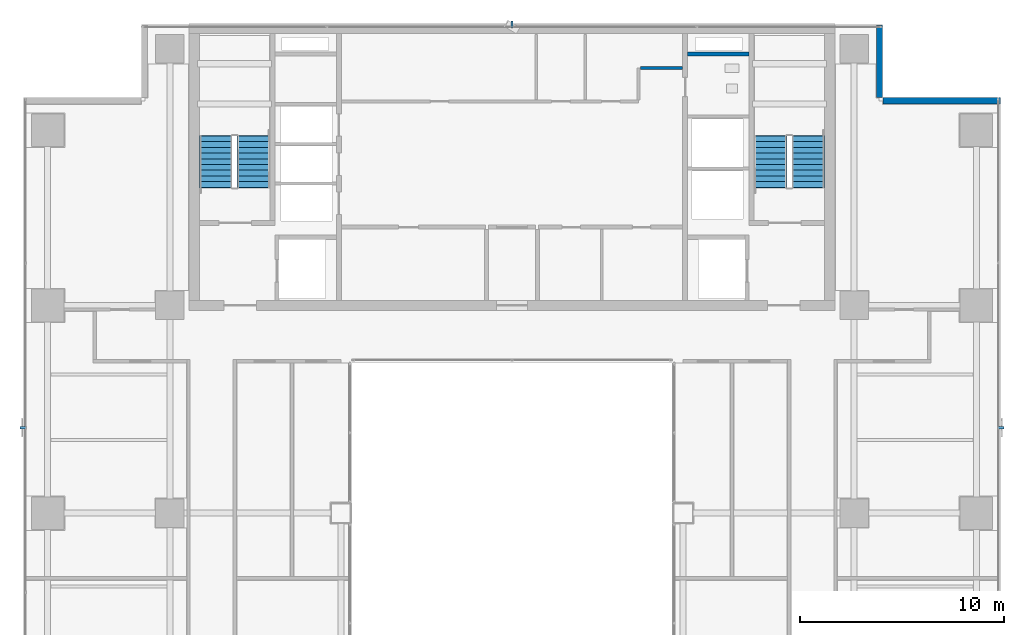
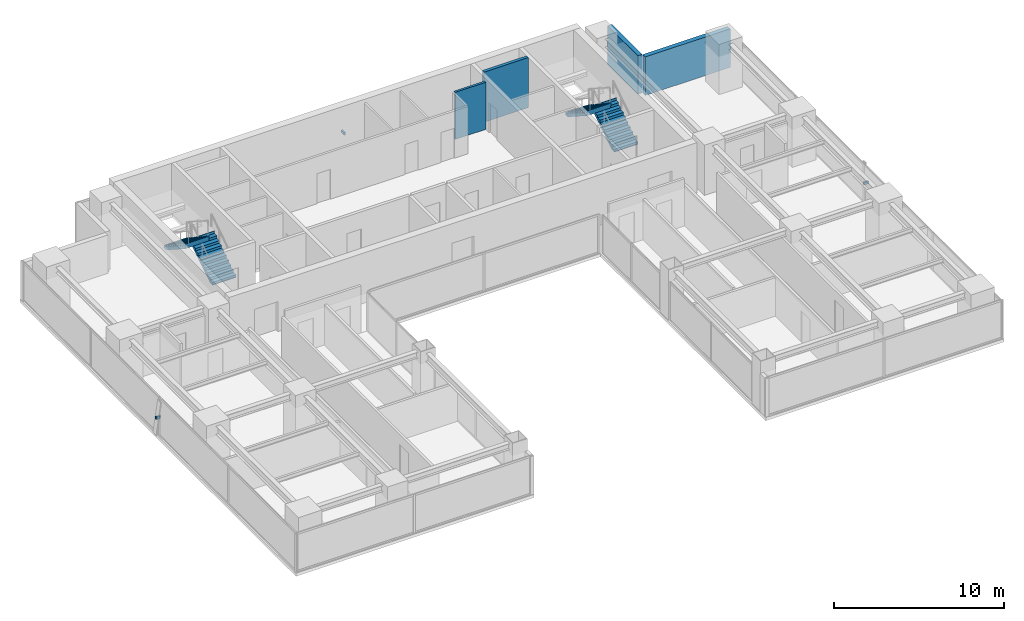
# One storey, part 26 of 29: 4 stair flights, 4 walls, 3 discrete accessories, 2 elements without a shape of their own.
"""IFC4 building model written with IfcOpenShell, lengths in metres."""

from ifc_helpers import new_model, si_unit, direction, frame, frame_2d, origin, origin_2d, place, context, subcontext, project, spatial, polyline, rectangle, outline, extrude, source, transform, mapped, material, layer, layer_set, material_profile, profile_set, type_object, element, aggregate, save


model = new_model("IFC4")

# Units and contexts
model_context = context("Model", 3, precision=1e-05, world=origin(), true_north=direction((0.0, 1.0)))
body_context = subcontext(model_context, "Body", "Model", "MODEL_VIEW")
ifc_project = project(units=[si_unit("LENGTHUNIT", "METRE"), si_unit("AREAUNIT", "SQUARE_METRE"), si_unit("VOLUMEUNIT", "CUBIC_METRE"), si_unit("PLANEANGLEUNIT", "RADIAN"), si_unit("MASSUNIT", "GRAM", prefix="KILO")], contexts=[model_context])

# Site, building, storey
site_placement = place(None, origin())
site = spatial("IfcSite", under=ifc_project, at=site_placement, CompositionType="ELEMENT")
building_placement = place(site_placement, origin())
building = spatial("IfcBuilding", under=site, at=building_placement, Name="Sumidabori Civic Tower", CompositionType="ELEMENT")
storey_placement = place(building_placement, frame((0.0, 0.0, 218.0)))
storey = spatial("IfcBuildingStorey", under=building, at=storey_placement, Name="L56", CompositionType="ELEMENT", Elevation=218.0)

# Walls
ifc_material_1 = material(Name="Concrete C50/60", Category="concrete")
ifc_layer_1 = layer(ifc_material_1, 0.199951171875, Name="Concrete C50/60")
ifc_layer_set_1 = layer_set([ifc_layer_1], Name="Concrete C50/60")
wall_type_1 = type_object("IfcWallType", Name="WL-SHAFT-200", PredefinedType="SHEAR", material=ifc_layer_set_1)
shared_shape_1 = source(origin(), body_context, "Body", "SweptSolid", [
    extrude(rectangle(XDim=3.02001953125, YDim=0.199951171875, at=frame_2d((1.510009765625, 0.0))), origin(), (0.0, 0.0, 1.0), 3.60009765625),
])
wall_1_placement = place(storey_placement, frame((8.625, 22.550048828125, 0.0), z_axis=(0.0, 0.0, 1.0), x_axis=(1.0, 0.0, 0.0)))
element("IfcWall", 1, at=wall_1_placement, inside=storey, type_object=wall_type_1, Name="Core Shear Wall L56 RIS2-S", PredefinedType="SHEAR", context=body_context, shape_type="MappedRepresentation", body=[
    mapped(shared_shape_1, transform((0.0, 0.0, 0.0), x_axis=(1.0, 0.0, 0.0), y_axis=(0.0, 1.0, 0.0), z_axis=(0.0, 0.0, 1.0), scale=1.0)),
])
ifc_material_2 = material(Name="Precast concrete C40/50", Category="concrete")
ifc_layer_2 = layer(ifc_material_2, 0.300048828125, Name="Precast concrete C40/50")
ifc_layer_set_2 = layer_set([ifc_layer_2], Name="Precast concrete C40/50")
wall_type_2 = type_object("IfcWallType", Name="WL-EXT-POD300", PredefinedType="STANDARD", material=ifc_layer_set_2)
shared_shape_2 = source(origin(), body_context, "Body", "SweptSolid", [
    extrude(rectangle(XDim=5.760009765625, YDim=0.300048828125, at=frame_2d((2.8798828125, 0.0))), origin(), (0.0, 0.0, 1.0), 2.760009765625),
])
wall_2_placement = place(storey_placement, frame((23.97998046875, 20.25, 0.0), z_axis=(0.0, 0.0, 1.0), x_axis=(-1.0, 0.0, 0.0)))
element("IfcWall", 2, at=wall_2_placement, inside=storey, type_object=wall_type_2, Name="Notched Corner Spandrel Band L56-11", PredefinedType="STANDARD", context=body_context, shape_type="MappedRepresentation", body=[
    mapped(shared_shape_2, transform((0.0, 0.0, 0.0), x_axis=(1.0, 0.0, 0.0), y_axis=(0.0, 1.0, 0.0), z_axis=(0.0, 0.0, 1.0), scale=1.0)),
])
shared_shape_3 = source(origin(), body_context, "Body", "SweptSolid", [
    extrude(rectangle(XDim=3.56005859375, YDim=0.300048828125, at=frame_2d((1.780029296875, 0.0))), origin(), (0.0, 0.0, 1.0), 2.760009765625),
])
wall_3_placement = place(storey_placement, frame((18.050048828125, 20.419921875, 0.0), z_axis=(0.0, 0.0, 1.0), x_axis=(0.0, 1.0, 0.0)))
element("IfcWall", 3, at=wall_3_placement, inside=storey, type_object=wall_type_2, Name="Notched Corner Spandrel Band L56-12", PredefinedType="STANDARD", context=body_context, shape_type="MappedRepresentation", body=[
    mapped(shared_shape_3, transform((0.0, 0.0, 0.0), x_axis=(1.0, 0.0, 0.0), y_axis=(0.0, 1.0, 0.0), z_axis=(0.0, 0.0, 1.0), scale=1.0)),
])
ifc_material_3 = material(Name="Gypsum Plasterboard Acoustic Partition")
ifc_layer_3 = layer(ifc_material_3, 0.14990234375, Name="Gypsum Plasterboard Acoustic Partition")
ifc_layer_set_3 = layer_set([ifc_layer_3], Name="Gypsum Plasterboard Acoustic Partition")
wall_type_3 = type_object("IfcWallType", Name="WL-PART-150", PredefinedType="PARTITIONING", material=ifc_layer_set_3)
shared_shape_4 = source(origin(), body_context, "Body", "SweptSolid", [
    extrude(rectangle(XDim=2.070068359375, YDim=0.14990234375, at=frame_2d((1.03515625, 0.0))), origin(), (0.0, 0.0, 1.0), 3.3798828125),
])
wall_4_placement = place(storey_placement, frame((6.300048828125, 21.85009765625, 0.0), z_axis=(0.0, 0.0, 1.0), x_axis=(1.0, 0.0, 0.0)))
element("IfcWall", 4, at=wall_4_placement, inside=storey, type_object=wall_type_3, Name="Interior Partition WL:L56:CBAND-ME2", PredefinedType="PARTITIONING", context=body_context, shape_type="MappedRepresentation", body=[
    mapped(shared_shape_4, transform((0.0, 0.0, 0.0), x_axis=(1.0, 0.0, 0.0), y_axis=(0.0, 1.0, 0.0), z_axis=(0.0, 0.0, 1.0), scale=1.0)),
])

# Stair, stair flights
ifc_material_4 = material(Name="Concrete C40/50", Category="concrete")
stair_type = type_object("IfcStairType", Name="ST-CORE-1600", PredefinedType="HALF_TURN_STAIR", material=ifc_material_4)
stair_1_placement = place(storey_placement, origin())
stair_1 = element("IfcStair", 5, at=stair_1_placement, inside=storey, type_object=stair_type, Name="L56 ST-1", PredefinedType="HALF_TURN_STAIR")
stair_flight_type = type_object("IfcStairFlightType", Name="SF-CORE-1600", PredefinedType="STRAIGHT", material=ifc_material_4)
shared_shape_5 = source(origin(), body_context, "Body", "SweptSolid", [
    extrude(outline(polyline([(-0.02490234375, 0.0), (-0.02490234375, 0.0400390625), (0.0, 0.0400390625), (0.0, 0.179931640625), (0.280029296875, 0.179931640625), (0.280029296875, 0.360107421875), (0.56005859375, 0.360107421875), (0.56005859375, 0.5400390625), (0.840087890625, 0.5400390625), (0.840087890625, 0.719970703125), (1.1201171875, 0.719970703125), (1.1201171875, 0.89990234375), (1.39990234375, 0.89990234375), (1.39990234375, 1.080078125), (1.679931640625, 1.080078125), (1.679931640625, 1.260009765625), (1.9599609375, 1.260009765625), (1.9599609375, 1.43994140625), (2.239990234375, 1.43994140625), (2.239990234375, 1.6201171875), (2.52001953125, 1.6201171875), (2.52001953125, 1.800048828125), (2.544921875, 1.800048828125), (2.544921875, 1.650146484375), (2.52001953125, 1.44189453125), (0.277099609375, 0.0), (-0.02490234375, 0.0)])), frame((0.0, 0.800048828125, 0.0), z_axis=(0.0, -1.0, 0.0), x_axis=(1.0, 0.0, 0.0)), (0.0, 0.0, 1.0), 1.60009765625),
])
stair_flight_1_placement = place(storey_placement, frame((-12.699951171875, 16.0, 0.0), z_axis=(0.0, 0.0, 1.0), x_axis=(0.0, 1.0, 0.0)))
stair_flight_1 = element("IfcStairFlight", 6, at=stair_flight_1_placement, type_object=stair_flight_type, Name="ST-1 flight 1", NumberOfRisers=10, NumberOfTreads=9, PredefinedType="STRAIGHT", RiserHeight=0.18, TreadLength=0.28, context=body_context, shape_type="MappedRepresentation", body=[
    mapped(shared_shape_5, transform((0.0, 0.0, 0.0), x_axis=(1.0, 0.0, 0.0), y_axis=(0.0, 1.0, 0.0), z_axis=(0.0, 0.0, 1.0), scale=1.0)),
])
stair_flight_2_placement = place(storey_placement, frame((-14.5400390625, 18.52001953125, 1.800048828125), z_axis=(0.0, 0.0, 1.0), x_axis=(0.0, -1.0, 0.0)))
stair_flight_2 = element("IfcStairFlight", 7, at=stair_flight_2_placement, type_object=stair_flight_type, Name="ST-1 flight 2", NumberOfRisers=10, NumberOfTreads=9, PredefinedType="STRAIGHT", RiserHeight=0.18, TreadLength=0.28, context=body_context, shape_type="MappedRepresentation", body=[
    mapped(shared_shape_5, transform((0.0, 0.0, 0.0), x_axis=(1.0, 0.0, 0.0), y_axis=(0.0, 1.0, 0.0), z_axis=(0.0, 0.0, 1.0), scale=1.0)),
])
aggregate(stair_1, [stair_flight_1, stair_flight_2])

stair_2_placement = place(storey_placement, origin())
stair_2 = element("IfcStair", 8, at=stair_2_placement, inside=storey, type_object=stair_type, Name="L56 ST-2", PredefinedType="HALF_TURN_STAIR")
stair_flight_3_placement = place(storey_placement, frame((14.5400390625, 16.0, 0.0), z_axis=(0.0, 0.0, 1.0), x_axis=(0.0, 1.0, 0.0)))
stair_flight_3 = element("IfcStairFlight", 9, at=stair_flight_3_placement, type_object=stair_flight_type, Name="ST-2 flight 1", NumberOfRisers=10, NumberOfTreads=9, PredefinedType="STRAIGHT", RiserHeight=0.18, TreadLength=0.28, context=body_context, shape_type="MappedRepresentation", body=[
    mapped(shared_shape_5, transform((0.0, 0.0, 0.0), x_axis=(1.0, 0.0, 0.0), y_axis=(0.0, 1.0, 0.0), z_axis=(0.0, 0.0, 1.0), scale=1.0)),
])
stair_flight_4_placement = place(storey_placement, frame((12.699951171875, 18.52001953125, 1.800048828125), z_axis=(0.0, 0.0, 1.0), x_axis=(0.0, -1.0, 0.0)))
stair_flight_4 = element("IfcStairFlight", 10, at=stair_flight_4_placement, type_object=stair_flight_type, Name="ST-2 flight 2", NumberOfRisers=10, NumberOfTreads=9, PredefinedType="STRAIGHT", RiserHeight=0.18, TreadLength=0.28, context=body_context, shape_type="MappedRepresentation", body=[
    mapped(shared_shape_5, transform((0.0, 0.0, 0.0), x_axis=(1.0, 0.0, 0.0), y_axis=(0.0, 1.0, 0.0), z_axis=(0.0, 0.0, 1.0), scale=1.0)),
])
aggregate(stair_2, [stair_flight_3, stair_flight_4])

# Discrete accessories
ifc_material_5 = material(Name="Stainless Steel Hairline Finish", Category="steel")
ifc_material_profile = material_profile(ifc_material_5, rectangle(XDim=0.1201171875, YDim=0.179931640625, at=origin_2d()), Name="STEEL BRACKET 180x120")
ifc_profile_set = profile_set([ifc_material_profile], Name="Stainless Steel Hairline Finish")
discrete_accessory_type = type_object("IfcDiscreteAccessoryType", Name="AC-BRK-180", PredefinedType="BRACKET", material=ifc_profile_set)
shared_shape_6 = source(origin(), body_context, "Body", "SweptSolid", [
    extrude(rectangle(XDim=0.1201171875, YDim=0.179931640625, at=origin_2d()), origin(), (0.0, 0.0, 1.0), 0.329833984375),
])
for number, where, z_axis, x_axis, name in (
    (11, (23.830078125, 4.199951171875, 1.3701171875), (1.0, 0.0, 0.0), (0.0, 1.0, 0.0), "Bronze Fin Fixing Bracket L56-02"),
    (12, (0.0, 23.830078125, 1.3701171875), (0.0, 1.0, 0.0), (-1.0, 0.0, 0.0), "Bronze Fin Fixing Bracket L56-02"),
    (13, (-23.830078125, 4.199951171875, 1.3701171875), (-1.0, 0.0, 0.0), (0.0, -1.0, 0.0), "Bronze Fin Fixing Bracket L56-02"),
):
    element("IfcDiscreteAccessory", number, at=place(storey_placement, frame(where, z_axis=z_axis, x_axis=x_axis)), inside=storey, type_object=discrete_accessory_type, Name=name, PredefinedType="BRACKET", context=body_context, shape_type="MappedRepresentation", body=[
        mapped(shared_shape_6, transform((0.0, 0.0, 0.0), x_axis=(1.0, 0.0, 0.0), y_axis=(0.0, 1.0, 0.0), z_axis=(0.0, 0.0, 1.0), scale=1.0)),
    ])

save(model, "model.ifc")
